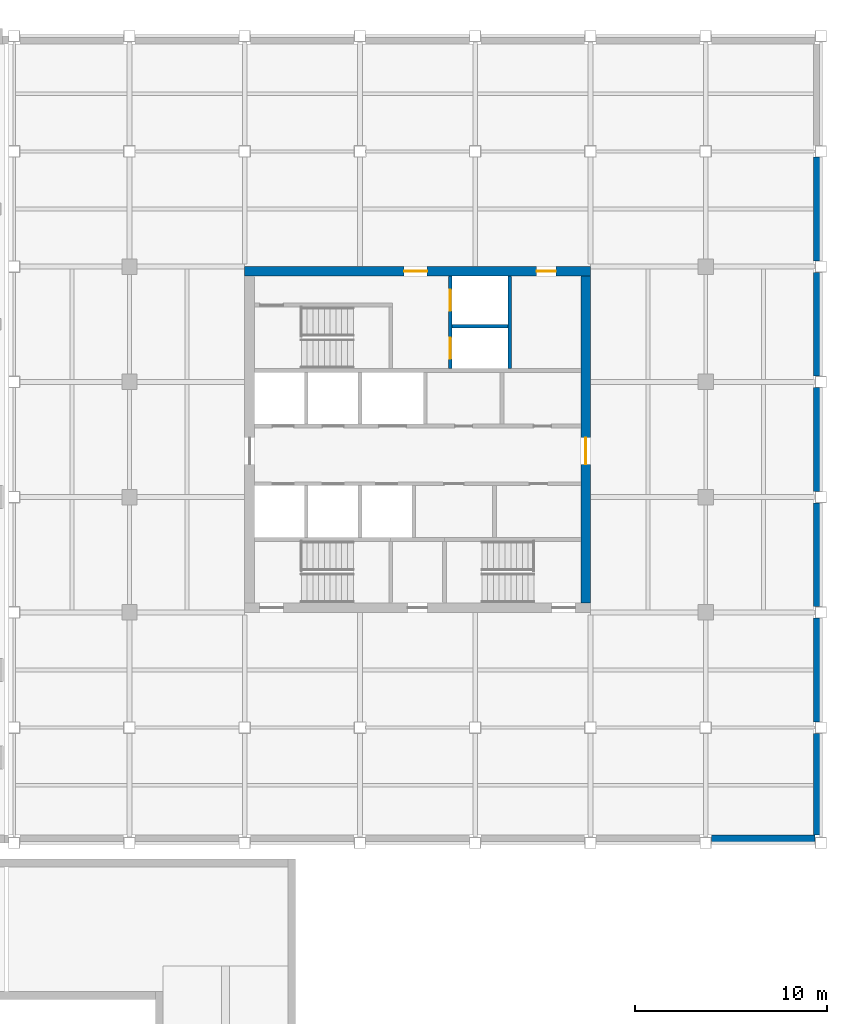
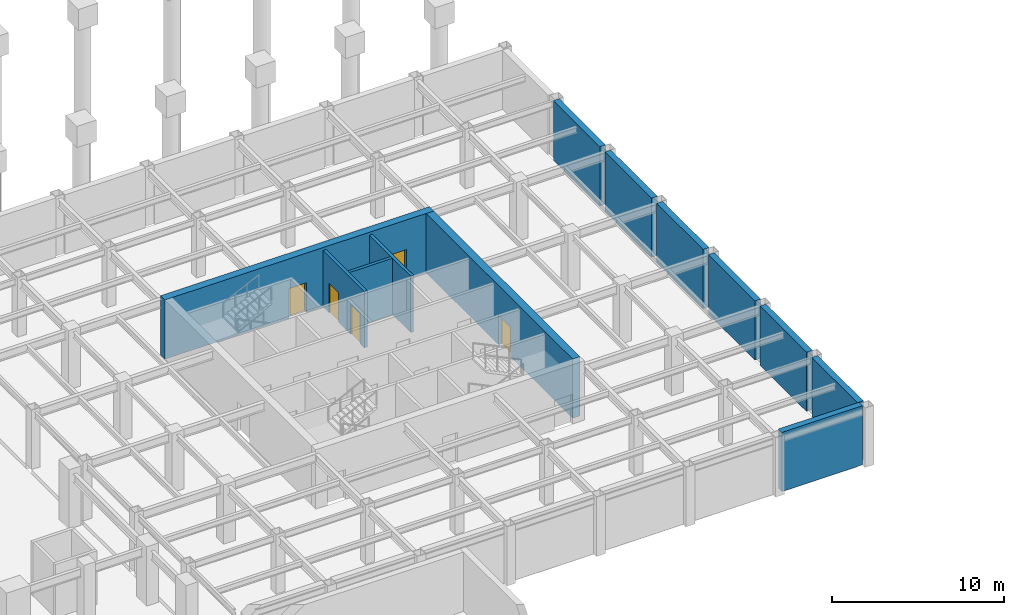
# One storey, part 17 of 27: 12 walls, 5 doors, 5 openings.
"""IFC4 building model written with IfcOpenShell, lengths in metres."""

from ifc_helpers import new_model, si_unit, direction, frame, frame_2d, origin, place, context, subcontext, project, spatial, rectangle, extrude, material, layer, layer_set, type_object, element, fill, save


model = new_model("IFC4")

# Units and contexts
model_context = context("Model", 3, precision=1e-05, world=origin(), true_north=direction((0.0, 1.0)))
body_context = subcontext(model_context, "Body", "Model", "MODEL_VIEW")
ifc_project = project(units=[si_unit("LENGTHUNIT", "METRE"), si_unit("AREAUNIT", "SQUARE_METRE"), si_unit("VOLUMEUNIT", "CUBIC_METRE"), si_unit("PLANEANGLEUNIT", "RADIAN"), si_unit("MASSUNIT", "GRAM", prefix="KILO")], contexts=[model_context])

# Site, building, storey
site_placement = place(None, origin())
site = spatial("IfcSite", under=ifc_project, at=site_placement, CompositionType="ELEMENT")
building_placement = place(site_placement, origin())
building = spatial("IfcBuilding", under=site, at=building_placement, Name="Aravalli Gate Trade Fair Centre", CompositionType="ELEMENT")
storey_placement = place(building_placement, frame((0.0, 0.0, -4.199951171875)))
storey = spatial("IfcBuildingStorey", under=building, at=storey_placement, Name="B1", CompositionType="ELEMENT", Elevation=-4.199951171875)

# Walls
ifc_material_1 = material(Name="Concrete M40", Category="concrete")
ifc_layer_1 = layer(ifc_material_1, 0.39990234375)
ifc_layer_set_1 = layer_set([ifc_layer_1], Name="Concrete M40")
wall_type_1 = type_object("IfcWallType", Name="Basement retaining wall 400", PredefinedType="SOLIDWALL", material=ifc_layer_set_1)
wall_1_placement = place(storey_placement, frame((196.300048828125, 91.199951171875, 0.0), z_axis=(0.0, 0.0, 1.0), x_axis=(1.0, 0.0, 0.0)))
element("IfcWall", 1, at=wall_1_placement, inside=storey, type_object=wall_type_1, Name="Retaining wall S208 B1", PredefinedType="SOLIDWALL", context=body_context, shape_type="SweptSolid", body=[
    extrude(rectangle(XDim=5.39990234375, YDim=0.39990234375, at=frame_2d((2.699951171875, 0.0))), origin(), (0.0, 0.0, 1.0), 4.199951171875),
])
wall_2_placement = place(storey_placement, frame((201.800048828125, 91.39990234375, 0.0), z_axis=(0.0, 0.0, 1.0), x_axis=(0.0, 1.0, 0.0)))
element("IfcWall", 2, at=wall_2_placement, inside=storey, type_object=wall_type_1, Name="Retaining wall E201 B1", PredefinedType="SOLIDWALL", context=body_context, shape_type="SweptSolid", body=[
    extrude(rectangle(XDim=5.300048828125, YDim=0.39990234375, at=frame_2d((2.64990234375, 0.0))), origin(), (0.0, 0.0, 1.0), 4.199951171875),
])
for number, where, z_axis, x_axis, name in (
    (3, (201.800048828125, 97.300048828125, 0.0), (0.0, 0.0, 1.0), (0.0, 1.0, 0.0), "Retaining wall E202 B1"),
    (4, (201.800048828125, 103.300048828125, 0.0), (0.0, 0.0, 1.0), (0.0, 1.0, 0.0), "Retaining wall E203 B1"),
    (5, (201.800048828125, 109.300048828125, 0.0), (0.0, 0.0, 1.0), (0.0, 1.0, 0.0), "Retaining wall E204 B1"),
    (6, (201.800048828125, 115.300048828125, 0.0), (0.0, 0.0, 1.0), (0.0, 1.0, 0.0), "Retaining wall E205 B1"),
    (7, (201.800048828125, 121.300048828125, 0.0), (0.0, 0.0, 1.0), (0.0, 1.0, 0.0), "Retaining wall E206 B1"),
):
    element("IfcWall", number, at=place(storey_placement, frame(where, z_axis=z_axis, x_axis=x_axis)), inside=storey, type_object=wall_type_1, Name=name, PredefinedType="SOLIDWALL", context=body_context, shape_type="SweptSolid", body=[
        extrude(rectangle(XDim=5.39990234375, YDim=0.39990234375, at=frame_2d((2.699951171875, 0.0))), origin(), (0.0, 0.0, 1.0), 4.199951171875),
    ])

# Wall, openings, doors
ifc_material_2 = material(Name="Concrete M30", Category="concrete")
ifc_layer_2 = layer(ifc_material_2, 0.199951171875)
ifc_layer_set_2 = layer_set([ifc_layer_2], Name="Concrete M30")
wall_type_2 = type_object("IfcWallType", Name="Wing core internal wall 200 (EI 120, firefighting shaft)", PredefinedType="SOLIDWALL", material=ifc_layer_set_2)
wall_3_placement = place(storey_placement, frame((182.699951171875, 115.699951171875, 0.0), z_axis=(0.0, 0.0, 1.0), x_axis=(0.0, 1.0, 0.0)))
wall_3 = element("IfcWall", 8, at=wall_3_placement, inside=storey, type_object=wall_type_2, Name="Core wall FF-BC B1", PredefinedType="SOLIDWALL", context=body_context, shape_type="SweptSolid", body=[
    extrude(rectangle(XDim=4.800048828125, YDim=0.199951171875, at=frame_2d((2.39990234375, 0.0))), origin(), (0.0, 0.0, 1.0), 4.0),
])
opening_1_placement = place(wall_3_placement, frame((0.5, 0.0, 0.0)))
opening_1 = element("IfcOpeningElement", 9, at=opening_1_placement, cuts=wall_3, Name="Opening T-B1-132", PredefinedType="OPENING", context=body_context, shape_type="SweptSolid", body=[
    extrude(rectangle(XDim=1.10009765625, YDim=2.10009765625, at=frame_2d((0.550048828125, 1.050048828125))), frame((0.0, 0.10986328125, 0.0), z_axis=(0.0, -1.0, 0.0), x_axis=(1.0, 0.0, 0.0)), (0.0, 0.0, 1.0), 0.219970703125),
])
opening_2_placement = place(wall_3_placement, frame((3.0, 0.0, 0.0)))
opening_2 = element("IfcOpeningElement", 10, at=opening_2_placement, cuts=wall_3, Name="Opening T-B1-133", PredefinedType="OPENING", context=body_context, shape_type="SweptSolid", body=[
    extrude(rectangle(XDim=1.10009765625, YDim=2.10009765625, at=frame_2d((0.550048828125, 1.050048828125))), frame((0.0, 0.10986328125, 0.0), z_axis=(0.0, -1.0, 0.0), x_axis=(1.0, 0.0, 0.0)), (0.0, 0.0, 1.0), 0.219970703125),
])
ifc_material_3 = material(Name="Elevator door panels")
door_type_1 = type_object("IfcDoorType", Name="Wing lift landing door 1100 x 2100", OperationType="SLIDING_TO_LEFT", PredefinedType="DOOR", material=ifc_material_3)
door_1_placement = place(opening_1_placement, origin())
door_1 = element("IfcDoor", 11, at=door_1_placement, inside=storey, type_object=door_type_1, Name="Landing door T-B1-132", OperationType="SLIDING_TO_LEFT", OverallHeight=2.10009765625, OverallWidth=1.10009765625, PredefinedType="DOOR", context=body_context, shape_type="SweptSolid", body=[
    extrude(rectangle(XDim=1.10009765625, YDim=2.10009765625, at=frame_2d((0.550048828125, 1.050048828125))), frame((0.0, 0.02490234375, 0.0), z_axis=(0.0, -1.0, 0.0), x_axis=(1.0, 0.0, 0.0)), (0.0, 0.0, 1.0), 0.050048828125),
])
fill(opening_1, door_1)
door_2_placement = place(opening_2_placement, origin())
door_2 = element("IfcDoor", 12, at=door_2_placement, inside=storey, type_object=door_type_1, Name="Landing door T-B1-133", OperationType="SLIDING_TO_LEFT", OverallHeight=2.10009765625, OverallWidth=1.10009765625, PredefinedType="DOOR", context=body_context, shape_type="SweptSolid", body=[
    extrude(rectangle(XDim=1.10009765625, YDim=2.10009765625, at=frame_2d((0.550048828125, 1.050048828125))), frame((0.0, 0.02490234375, 0.0), z_axis=(0.0, -1.0, 0.0), x_axis=(1.0, 0.0, 0.0)), (0.0, 0.0, 1.0), 0.050048828125),
])
fill(opening_2, door_2)

# Walls
wall_4_placement = place(storey_placement, frame((182.800048828125, 117.89990234375, 0.0), z_axis=(0.0, 0.0, 1.0), x_axis=(1.0, 0.0, 0.0)))
element("IfcWall", 13, at=wall_4_placement, inside=storey, type_object=wall_type_2, Name="Core wall FF-MID B1", PredefinedType="SOLIDWALL", context=body_context, shape_type="SweptSolid", body=[
    extrude(rectangle(XDim=2.89990234375, YDim=0.199951171875, at=frame_2d((1.449951171875, 0.0))), origin(), (0.0, 0.0, 1.0), 4.0),
])
wall_5_placement = place(storey_placement, frame((185.800048828125, 115.699951171875, 0.0), z_axis=(0.0, 0.0, 1.0), x_axis=(0.0, 1.0, 0.0)))
element("IfcWall", 14, at=wall_5_placement, inside=storey, type_object=wall_type_2, Name="Core wall FF-CD B1", PredefinedType="SOLIDWALL", context=body_context, shape_type="SweptSolid", body=[
    extrude(rectangle(XDim=4.800048828125, YDim=0.199951171875, at=frame_2d((2.39990234375, 0.0))), origin(), (0.0, 0.0, 1.0), 4.0),
])

# Wall, openings, doors
ifc_material_4 = material(Name="Concrete M50", Category="concrete")
ifc_layer_3 = layer(ifc_material_4, 0.5)
ifc_layer_set_3 = layer_set([ifc_layer_3], Name="Concrete M50")
wall_type_3 = type_object("IfcWallType", Name="Wing core shear wall 500", PredefinedType="SHEAR", material=ifc_layer_set_3)
wall_6_placement = place(storey_placement, frame((172.0, 120.75, 0.0), z_axis=(0.0, 0.0, 1.0), x_axis=(1.0, 0.0, 0.0)))
wall_6 = element("IfcWall", 15, at=wall_6_placement, inside=storey, type_object=wall_type_3, Name="Core wall N B1", PredefinedType="SHEAR", context=body_context, shape_type="SweptSolid", body=[
    extrude(rectangle(XDim=18.0, YDim=0.5, at=frame_2d((9.0, 0.0))), origin(), (0.0, 0.0, 1.0), 4.199951171875),
])
opening_3_placement = place(wall_6_placement, frame((8.300048828125, 0.0, 0.0)))
opening_3 = element("IfcOpeningElement", 16, at=opening_3_placement, cuts=wall_6, Name="Opening T-B1-104", PredefinedType="OPENING", context=body_context, shape_type="SweptSolid", body=[
    extrude(rectangle(XDim=1.199951171875, YDim=2.10009765625, at=frame_2d((0.60009765625, 1.050048828125))), frame((0.0, 0.260009765625, 0.0), z_axis=(0.0, -1.0, 0.0), x_axis=(1.0, 0.0, 0.0)), (0.0, 0.0, 1.0), 0.52001953125),
])
opening_4_placement = place(wall_6_placement, frame((15.199951171875, 0.0, 0.0)))
opening_4 = element("IfcOpeningElement", 17, at=opening_4_placement, cuts=wall_6, Name="Opening T-B1-105", PredefinedType="OPENING", context=body_context, shape_type="SweptSolid", body=[
    extrude(rectangle(XDim=1.0, YDim=2.10009765625, at=frame_2d((0.5, 1.050048828125))), frame((0.0, 0.260009765625, 0.0), z_axis=(0.0, -1.0, 0.0), x_axis=(1.0, 0.0, 0.0)), (0.0, 0.0, 1.0), 0.52001953125),
])
ifc_material_5 = material(Name="Steel, fire rated", Category="steel")
door_type_2 = type_object("IfcDoorType", Name="Wing fire door FD120 1000 x 2100", OperationType="SINGLE_SWING_LEFT", PredefinedType="DOOR", material=ifc_material_5)
door_3_placement = place(opening_4_placement, frame((1.0, 0.0, 0.0), z_axis=(0.0, 0.0, 1.0), x_axis=(-1.0, 0.0, 0.0)))
door_3 = element("IfcDoor", 18, at=door_3_placement, inside=storey, type_object=door_type_2, Name="Core door T-B1-105", OperationType="SINGLE_SWING_LEFT", OverallHeight=2.10009765625, OverallWidth=1.0, PredefinedType="DOOR", context=body_context, shape_type="SweptSolid", body=[
    extrude(rectangle(XDim=1.0, YDim=2.10009765625, at=frame_2d((0.5, 1.050048828125))), frame((0.0, 0.02490234375, 0.0), z_axis=(0.0, -1.0, 0.0), x_axis=(1.0, 0.0, 0.0)), (0.0, 0.0, 1.0), 0.050048828125),
])
fill(opening_4, door_3)
door_type_3 = type_object("IfcDoorType", Name="Wing fire door FD120 1200 x 2100", OperationType="SINGLE_SWING_LEFT", PredefinedType="DOOR", material=ifc_material_5)
door_4_placement = place(opening_3_placement, origin())
door_4 = element("IfcDoor", 19, at=door_4_placement, inside=storey, type_object=door_type_3, Name="Core door T-B1-104", OperationType="SINGLE_SWING_LEFT", OverallHeight=2.10009765625, OverallWidth=1.199951171875, PredefinedType="DOOR", context=body_context, shape_type="SweptSolid", body=[
    extrude(rectangle(XDim=1.199951171875, YDim=2.10009765625, at=frame_2d((0.60009765625, 1.050048828125))), frame((0.0, 0.02490234375, 0.0), z_axis=(0.0, -1.0, 0.0), x_axis=(1.0, 0.0, 0.0)), (0.0, 0.0, 1.0), 0.050048828125),
])
fill(opening_3, door_4)

# Wall, opening, door
wall_7_placement = place(storey_placement, frame((189.75, 103.5, 0.0), z_axis=(0.0, 0.0, 1.0), x_axis=(0.0, 1.0, 0.0)))
wall_7 = element("IfcWall", 20, at=wall_7_placement, inside=storey, type_object=wall_type_3, Name="Core wall E B1", PredefinedType="SHEAR", context=body_context, shape_type="SweptSolid", body=[
    extrude(rectangle(XDim=17.0, YDim=0.5, at=frame_2d((8.5, 0.0))), origin(), (0.0, 0.0, 1.0), 4.199951171875),
])
opening_5_placement = place(wall_7_placement, frame((7.199951171875, 0.0, 0.0)))
opening_5 = element("IfcOpeningElement", 21, at=opening_5_placement, cuts=wall_7, Name="Opening T-B1-107", PredefinedType="OPENING", context=body_context, shape_type="SweptSolid", body=[
    extrude(rectangle(XDim=1.39990234375, YDim=2.10009765625, at=frame_2d((0.699951171875, 1.050048828125))), frame((0.0, 0.260009765625, 0.0), z_axis=(0.0, -1.0, 0.0), x_axis=(1.0, 0.0, 0.0)), (0.0, 0.0, 1.0), 0.52001953125),
])
door_type_4 = type_object("IfcDoorType", Name="Wing fire door FD120 1400 x 2100", OperationType="DOUBLE_DOOR_SINGLE_SWING", PredefinedType="DOOR", material=ifc_material_5)
door_5_placement = place(opening_5_placement, frame((1.39990234375, 0.0, 0.0), z_axis=(0.0, 0.0, 1.0), x_axis=(-1.0, 0.0, 0.0)))
door_5 = element("IfcDoor", 22, at=door_5_placement, inside=storey, type_object=door_type_4, Name="Core door T-B1-107", OperationType="DOUBLE_DOOR_SINGLE_SWING", OverallHeight=2.10009765625, OverallWidth=1.39990234375, PredefinedType="DOOR", context=body_context, shape_type="SweptSolid", body=[
    extrude(rectangle(XDim=1.39990234375, YDim=2.10009765625, at=frame_2d((0.699951171875, 1.050048828125))), frame((0.0, 0.02490234375, 0.0), z_axis=(0.0, -1.0, 0.0), x_axis=(1.0, 0.0, 0.0)), (0.0, 0.0, 1.0), 0.050048828125),
])
fill(opening_5, door_5)

save(model, "model.ifc")
